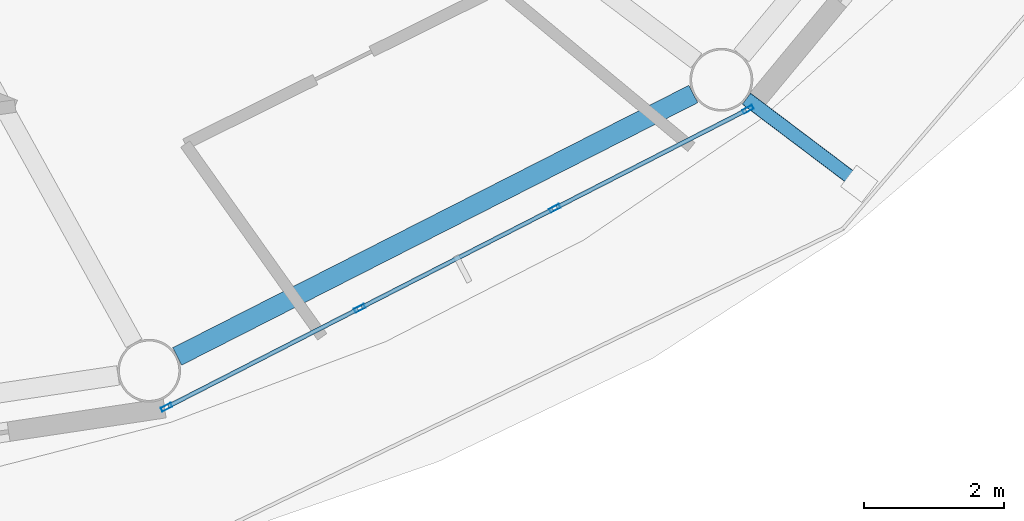
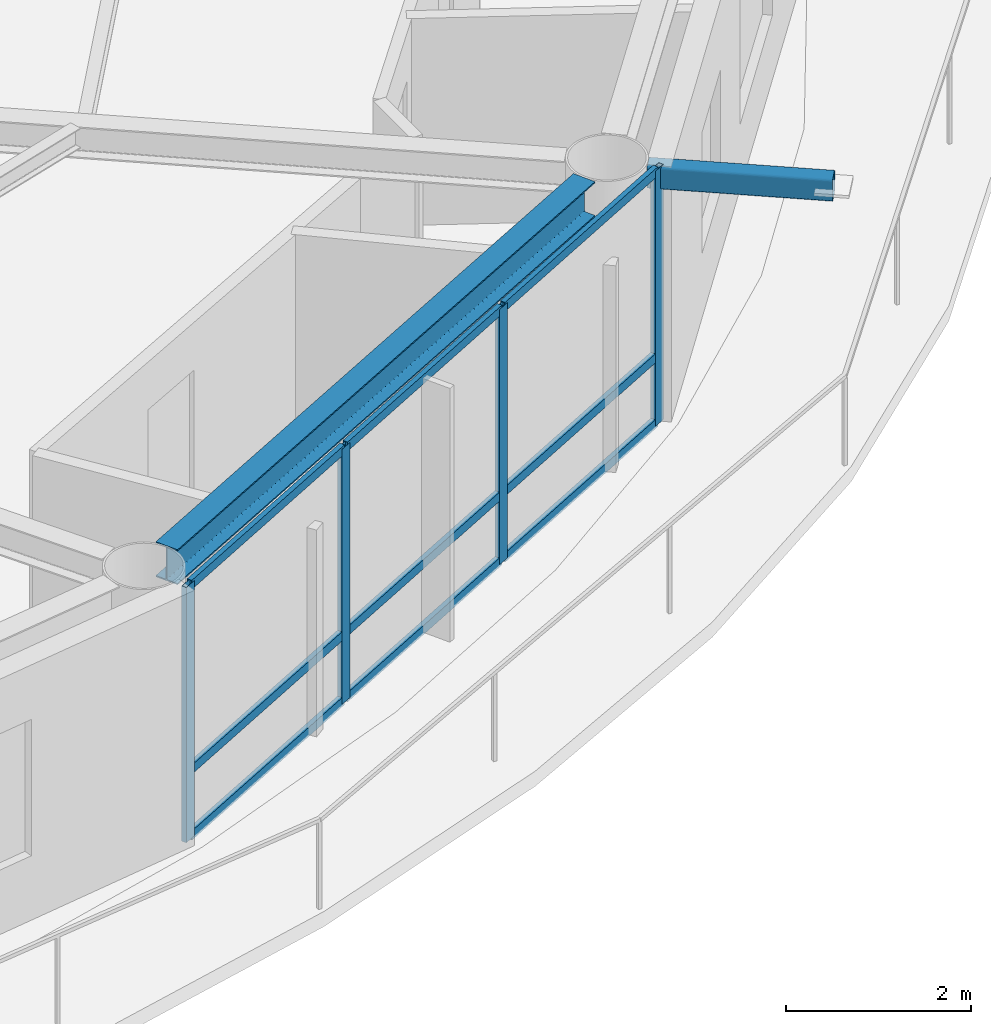
# One storey, part 5 of 21: 14 members, 1 beam, 1 element without a shape of its own.
"""IFC4 building model written with IfcOpenShell, lengths in metres."""

from ifc_helpers import new_model, si_unit, direction, frame, origin, origin_2d, place, context, subcontext, project, spatial, hollow_rectangle, i_section, extrude, material, layer, layer_set, material_profile, profile_set, type_object, element, aggregate, save


model = new_model("IFC4")

# Units and contexts
model_context = context("Model", 3, precision=1e-05, world=origin(), true_north=direction((0.0, 1.0)))
body_context = subcontext(model_context, "Body", "Model", "MODEL_VIEW")
ifc_project = project(units=[si_unit("LENGTHUNIT", "METRE"), si_unit("AREAUNIT", "SQUARE_METRE"), si_unit("VOLUMEUNIT", "CUBIC_METRE"), si_unit("PLANEANGLEUNIT", "RADIAN"), si_unit("MASSUNIT", "GRAM", prefix="KILO")], contexts=[model_context])

# Site, building, storey
site_placement = place(None, origin())
site = spatial("IfcSite", under=ifc_project, at=site_placement, CompositionType="ELEMENT")
building_placement = place(site_placement, origin())
building = spatial("IfcBuilding", under=site, at=building_placement, Name="Sarneth Arch Tower", CompositionType="ELEMENT")
storey_placement = place(building_placement, frame((0.0, 0.0, 309.0)))
storey = spatial("IfcBuildingStorey", under=building, at=storey_placement, Name="L80", CompositionType="ELEMENT", Elevation=309.0)

# Beam
ifc_material_1 = material(Name="Steel S355", Category="steel")
ifc_material_profile_1 = material_profile(ifc_material_1, i_section(OverallWidth=0.280029296875, OverallDepth=0.462890625, WebThickness=0.0107421875, FlangeThickness=0.017333984375, FilletRadius=0.01806640625, at=origin_2d()), Name="W460x113")
ifc_profile_set_1 = profile_set([ifc_material_profile_1], Name="Steel S355")
beam_type = type_object("IfcBeamType", Name="BM-RAD-460A", PredefinedType="BEAM", material=ifc_profile_set_1)
beam_placement = place(storey_placement, frame((58.19189453125, 24.465576171875, 3.138427734375), z_axis=(0.891376248079, 0.453264144138, 0.0), x_axis=(-0.453264144138, 0.891376248079, 0.0)))
element("IfcBeam", 1, at=beam_placement, inside=storey, type_object=beam_type, Name="L80 Perimeter spandrel beam 14", PredefinedType="BEAM", context=body_context, shape_type="SweptSolid", body=[
    extrude(i_section(OverallWidth=0.280029296875, OverallDepth=0.462890625, WebThickness=0.0107421875, FlangeThickness=0.017333984375, FilletRadius=0.01806640625, at=origin_2d()), origin(), (0.0, 0.0, 1.0), 8.281982421875),
])

# Curtain wall, members
ifc_material_2 = material(Name="Anodised aluminium Type AA25 and solar-control low-e laminated IGU", Category="aluminium")
ifc_layer = layer(ifc_material_2, 0.179931640625)
ifc_layer_set = layer_set([ifc_layer], Name="Anodised aluminium Type AA25 and solar-control low-e laminated IGU")
curtain_wall_type = type_object("IfcCurtainWallType", Name="CW-RES-HIGH", PredefinedType="NOTDEFINED", material=ifc_layer_set)
curtain_wall_placement = place(storey_placement, origin())
curtain_wall = element("IfcCurtainWall", 2, at=curtain_wall_placement, inside=storey, type_object=curtain_wall_type, Name="L80 Unitised curtain wall facet 14", PredefinedType="NOTDEFINED")
ifc_material_3 = material(Name="Anodised Aluminium 6063-T6", Category="aluminium")
ifc_material_profile_2 = material_profile(ifc_material_3, hollow_rectangle(XDim=0.06005859375, YDim=0.159912109375, WallThickness=0.00390625, at=origin_2d()), Name="AL-MULL-160x60x4")
ifc_profile_set_2 = profile_set([ifc_material_profile_2], Name="Anodised Aluminium 6063-T6")
member_type_1 = type_object("IfcMemberType", Name="CW-MULLION", PredefinedType="MULLION", material=ifc_profile_set_2)
member_1_placement = place(storey_placement, frame((58.039306640625, 23.7392578125, 0.0), z_axis=(0.0, 0.0, 1.0), x_axis=(-0.455941901753, 0.890009540525, 0.0)))
member_1 = element("IfcMember", 3, at=member_1_placement, type_object=member_type_1, Name="CW-SYS-6 mullion 1", PredefinedType="MULLION", context=body_context, shape_type="SweptSolid", body=[
    extrude(hollow_rectangle(XDim=0.06005859375, YDim=0.159912109375, WallThickness=0.00390625, at=origin_2d()), origin(), (0.0, 0.0, 1.0), 3.3701171875),
])
member_2_placement = place(storey_placement, frame((60.802490234375, 25.155029296875, 0.0), z_axis=(0.0, 0.0, 1.0), x_axis=(-0.455941901753, 0.890009540525, 0.0)))
member_2 = element("IfcMember", 4, at=member_2_placement, type_object=member_type_1, Name="CW-SYS-6 mullion 2", PredefinedType="MULLION", context=body_context, shape_type="SweptSolid", body=[
    extrude(hollow_rectangle(XDim=0.06005859375, YDim=0.159912109375, WallThickness=0.00390625, at=origin_2d()), origin(), (0.0, 0.0, 1.0), 3.3701171875),
])
member_3_placement = place(storey_placement, frame((63.592529296875, 26.584228515625, 0.0), z_axis=(0.0, 0.0, 1.0), x_axis=(-0.455941901753, 0.890009540525, 0.0)))
member_3 = element("IfcMember", 5, at=member_3_placement, type_object=member_type_1, Name="CW-SYS-6 mullion 3", PredefinedType="MULLION", context=body_context, shape_type="SweptSolid", body=[
    extrude(hollow_rectangle(XDim=0.06005859375, YDim=0.159912109375, WallThickness=0.00390625, at=origin_2d()), origin(), (0.0, 0.0, 1.0), 3.3701171875),
])
member_4_placement = place(storey_placement, frame((66.355712890625, 27.999755859375, 0.0), z_axis=(0.0, 0.0, 1.0), x_axis=(-0.455941901753, 0.890009540525, 0.0)))
member_4 = element("IfcMember", 6, at=member_4_placement, type_object=member_type_1, Name="CW-SYS-6 mullion 4", PredefinedType="MULLION", context=body_context, shape_type="SweptSolid", body=[
    extrude(hollow_rectangle(XDim=0.06005859375, YDim=0.159912109375, WallThickness=0.00390625, at=origin_2d()), origin(), (0.0, 0.0, 1.0), 3.3701171875),
])
ifc_material_4 = material(Name="Anodised Aluminium 6063-T6", Category="aluminium")
ifc_material_profile_3 = material_profile(ifc_material_4, hollow_rectangle(XDim=0.06005859375, YDim=0.1201171875, WallThickness=0.00390625, at=origin_2d()), Name="AL-TRAN-120x60x4")
ifc_profile_set_3 = profile_set([ifc_material_profile_3], Name="Anodised Aluminium 6063-T6")
member_type_2 = type_object("IfcMemberType", Name="CW-TRANSOM", PredefinedType="USERDEFINED", material=ifc_profile_set_3)
member_5_placement = place(storey_placement, frame((58.066162109375, 23.7529296875, 0.030029296875), z_axis=(0.889973523166, 0.456012201662, 0.0), x_axis=(-0.456012201662, 0.889973523166, 0.0)))
member_5 = element("IfcMember", 7, at=member_5_placement, type_object=member_type_2, Name="CW-SYS-6 transom 1.1", ObjectType="TRANSOM", PredefinedType="USERDEFINED", context=body_context, shape_type="SweptSolid", body=[
    extrude(hollow_rectangle(XDim=0.06005859375, YDim=0.1201171875, WallThickness=0.00390625, at=origin_2d()), origin(), (0.0, 0.0, 1.0), 3.044677734375),
])
member_6_placement = place(storey_placement, frame((58.066162109375, 23.7529296875, 0.89990234375), z_axis=(0.889973523166, 0.456012201662, 0.0), x_axis=(-0.456012201662, 0.889973523166, 0.0)))
member_6 = element("IfcMember", 8, at=member_6_placement, type_object=member_type_2, Name="CW-SYS-6 transom 1.2", ObjectType="TRANSOM", PredefinedType="USERDEFINED", context=body_context, shape_type="SweptSolid", body=[
    extrude(hollow_rectangle(XDim=0.06005859375, YDim=0.1201171875, WallThickness=0.00390625, at=origin_2d()), origin(), (0.0, 0.0, 1.0), 3.044677734375),
])
member_7_placement = place(storey_placement, frame((58.066162109375, 23.7529296875, 3.340087890625), z_axis=(0.889973523166, 0.456012201662, 0.0), x_axis=(-0.456012201662, 0.889973523166, 0.0)))
member_7 = element("IfcMember", 9, at=member_7_placement, type_object=member_type_2, Name="CW-SYS-6 transom 1.3", ObjectType="TRANSOM", PredefinedType="USERDEFINED", context=body_context, shape_type="SweptSolid", body=[
    extrude(hollow_rectangle(XDim=0.06005859375, YDim=0.1201171875, WallThickness=0.00390625, at=origin_2d()), origin(), (0.0, 0.0, 1.0), 3.044677734375),
])
member_8_placement = place(storey_placement, frame((60.829345703125, 25.168701171875, 0.030029296875), z_axis=(0.890017432405, 0.455926496286, 0.0), x_axis=(-0.455926496286, 0.890017432405, 0.0)))
member_8 = element("IfcMember", 10, at=member_8_placement, type_object=member_type_2, Name="CW-SYS-6 transom 2.1", ObjectType="TRANSOM", PredefinedType="USERDEFINED", context=body_context, shape_type="SweptSolid", body=[
    extrude(hollow_rectangle(XDim=0.06005859375, YDim=0.1201171875, WallThickness=0.00390625, at=origin_2d()), origin(), (0.0, 0.0, 1.0), 3.07470703125),
])
member_9_placement = place(storey_placement, frame((60.829345703125, 25.168701171875, 0.89990234375), z_axis=(0.890017432405, 0.455926496286, 0.0), x_axis=(-0.455926496286, 0.890017432405, 0.0)))
member_9 = element("IfcMember", 11, at=member_9_placement, type_object=member_type_2, Name="CW-SYS-6 transom 2.2", ObjectType="TRANSOM", PredefinedType="USERDEFINED", context=body_context, shape_type="SweptSolid", body=[
    extrude(hollow_rectangle(XDim=0.06005859375, YDim=0.1201171875, WallThickness=0.00390625, at=origin_2d()), origin(), (0.0, 0.0, 1.0), 3.07470703125),
])
member_10_placement = place(storey_placement, frame((60.829345703125, 25.168701171875, 3.340087890625), z_axis=(0.890017432405, 0.455926496286, 0.0), x_axis=(-0.455926496286, 0.890017432405, 0.0)))
member_10 = element("IfcMember", 12, at=member_10_placement, type_object=member_type_2, Name="CW-SYS-6 transom 2.3", ObjectType="TRANSOM", PredefinedType="USERDEFINED", context=body_context, shape_type="SweptSolid", body=[
    extrude(hollow_rectangle(XDim=0.06005859375, YDim=0.1201171875, WallThickness=0.00390625, at=origin_2d()), origin(), (0.0, 0.0, 1.0), 3.07470703125),
])
member_11_placement = place(storey_placement, frame((63.619140625, 26.597900390625, 0.030029296875), z_axis=(0.890022732705, 0.455916149384, 0.0), x_axis=(-0.455916149384, 0.890022732705, 0.0)))
member_11 = element("IfcMember", 13, at=member_11_placement, type_object=member_type_2, Name="CW-SYS-6 transom 3.1", ObjectType="TRANSOM", PredefinedType="USERDEFINED", context=body_context, shape_type="SweptSolid", body=[
    extrude(hollow_rectangle(XDim=0.06005859375, YDim=0.1201171875, WallThickness=0.00390625, at=origin_2d()), origin(), (0.0, 0.0, 1.0), 3.044921875),
])
member_12_placement = place(storey_placement, frame((63.619140625, 26.597900390625, 0.89990234375), z_axis=(0.890022732705, 0.455916149384, 0.0), x_axis=(-0.455916149384, 0.890022732705, 0.0)))
member_12 = element("IfcMember", 14, at=member_12_placement, type_object=member_type_2, Name="CW-SYS-6 transom 3.2", ObjectType="TRANSOM", PredefinedType="USERDEFINED", context=body_context, shape_type="SweptSolid", body=[
    extrude(hollow_rectangle(XDim=0.06005859375, YDim=0.1201171875, WallThickness=0.00390625, at=origin_2d()), origin(), (0.0, 0.0, 1.0), 3.044921875),
])
member_13_placement = place(storey_placement, frame((63.619140625, 26.597900390625, 3.340087890625), z_axis=(0.890022732705, 0.455916149384, 0.0), x_axis=(-0.455916149384, 0.890022732705, 0.0)))
member_13 = element("IfcMember", 15, at=member_13_placement, type_object=member_type_2, Name="CW-SYS-6 transom 3.3", ObjectType="TRANSOM", PredefinedType="USERDEFINED", context=body_context, shape_type="SweptSolid", body=[
    extrude(hollow_rectangle(XDim=0.06005859375, YDim=0.1201171875, WallThickness=0.00390625, at=origin_2d()), origin(), (0.0, 0.0, 1.0), 3.044921875),
])
aggregate(curtain_wall, [member_1, member_2, member_3, member_4, member_5, member_6, member_7, member_8, member_9, member_10, member_11, member_12, member_13])

# Member
ifc_material_5 = material(Name="Steel S355", Category="steel")
ifc_material_profile_4 = material_profile(ifc_material_5, hollow_rectangle(XDim=0.199951171875, YDim=0.300048828125, WallThickness=0.012451171875, InnerFilletRadius=0.018798828125, OuterFilletRadius=0.03125, at=origin_2d()), Name="RHS300x200x12.5")
ifc_profile_set_4 = profile_set([ifc_material_profile_4], Name="Steel S355")
member_type_3 = type_object("IfcMemberType", Name="MEM-CANT-STRUT", PredefinedType="STRUT", material=ifc_profile_set_4)
member_14_placement = place(storey_placement, frame((66.334228515625, 28.15234375, 3.2099609375), z_axis=(0.798009352378, -0.602645064294, 0.0), x_axis=(0.602645064294, 0.798009352378, 0.0)))
element("IfcMember", 16, at=member_14_placement, inside=storey, type_object=member_type_3, Name="L80 Balcony cantilever bracket 15", PredefinedType="STRUT", context=body_context, shape_type="SweptSolid", body=[
    extrude(hollow_rectangle(XDim=0.199951171875, YDim=0.300048828125, WallThickness=0.012451171875, InnerFilletRadius=0.018798828125, OuterFilletRadius=0.03125, at=origin_2d()), origin(), (0.0, 0.0, 1.0), 2.020751953125),
])

save(model, "model.ifc")
